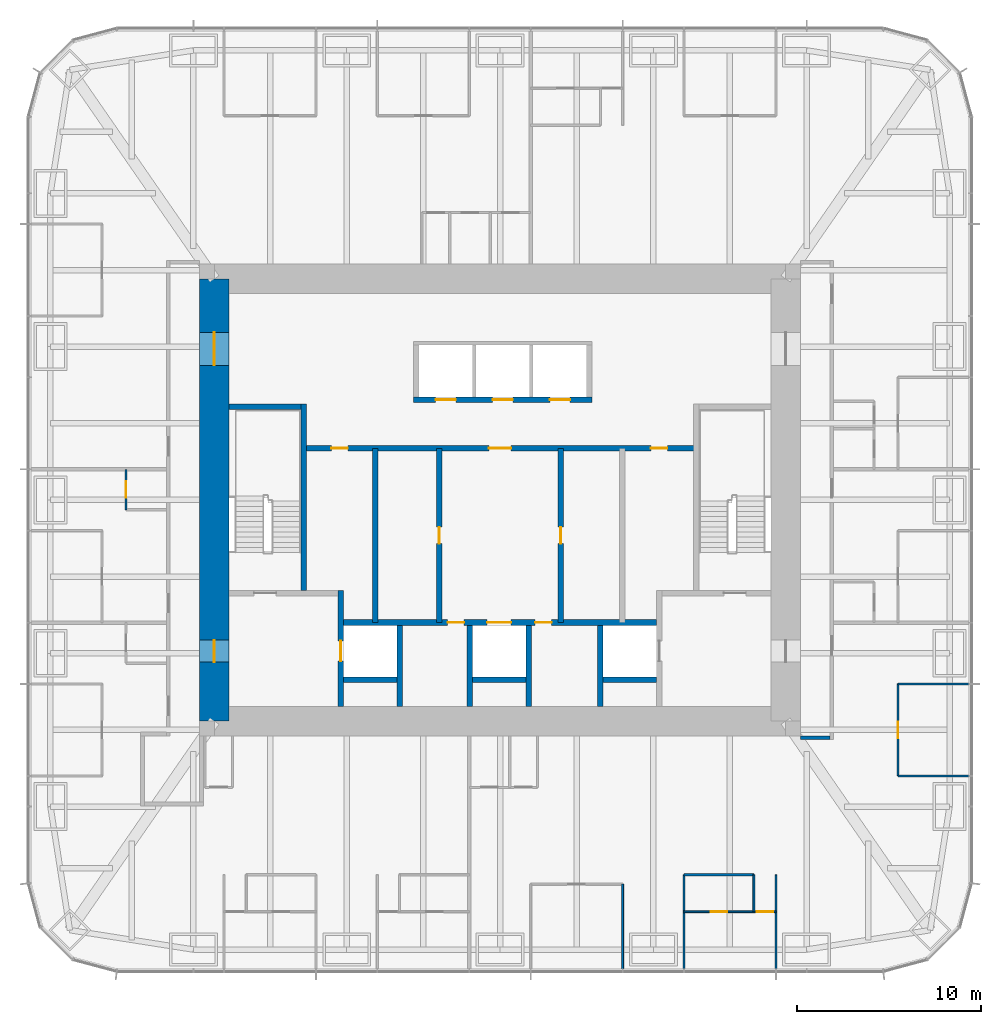
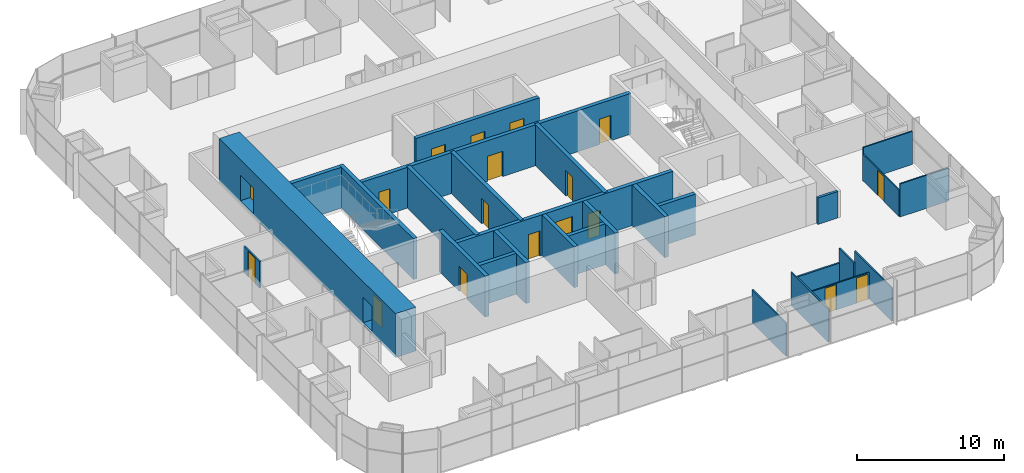
# One storey, part 10 of 13: 28 walls, 18 doors, 18 openings.
"""IFC4 building model written with IfcOpenShell, lengths in metres."""

from ifc_helpers import new_model, si_unit, direction, frame, frame_2d, origin, place, context, subcontext, project, spatial, rectangle, extrude, material, layer, layer_set, type_object, element, fill, save


model = new_model("IFC4")

# Units and contexts
model_context = context("Model", 3, precision=1e-05, world=origin(), true_north=direction((0.0, 1.0)))
body_context = subcontext(model_context, "Body", "Model", "MODEL_VIEW")
ifc_project = project(units=[si_unit("LENGTHUNIT", "METRE"), si_unit("AREAUNIT", "SQUARE_METRE"), si_unit("VOLUMEUNIT", "CUBIC_METRE"), si_unit("PLANEANGLEUNIT", "RADIAN"), si_unit("MASSUNIT", "GRAM", prefix="KILO")], contexts=[model_context])

# Site, building, storey
site_placement = place(None, origin())
site = spatial("IfcSite", under=ifc_project, at=site_placement, CompositionType="ELEMENT")
building_placement = place(site_placement, origin())
building = spatial("IfcBuilding", under=site, at=building_placement, Name="Khuree Lantern Residences", CompositionType="ELEMENT")
storey_placement = place(building_placement, frame((0.0, 0.0, 274.5)))
storey = spatial("IfcBuildingStorey", under=building, at=storey_placement, Name="L69", CompositionType="ELEMENT", Elevation=274.5)

# Wall, opening, door
ifc_material_1 = material(Name="Moisture-resistant gypsum board on steel studs", Category="steel")
ifc_layer_1 = layer(ifc_material_1, 0.125)
ifc_layer_set_1 = layer_set([ifc_layer_1], Name="BATHROOM WALL BTW125")
wall_type_1 = type_object("IfcWallType", Name="BATHROOM WALL BTW125", PredefinedType="PARTITIONING", material=ifc_layer_set_1)
wall_1_placement = place(storey_placement, frame((-20.300048828125, 1.6640625, 0.0), z_axis=(0.0, 0.0, 1.0), x_axis=(0.0, -1.0, 0.0)))
wall_1 = element("IfcWall", 1, at=wall_1_placement, inside=storey, type_object=wall_type_1, Name="L69 BATHROOM WALL 04", PredefinedType="PARTITIONING", context=body_context, shape_type="SweptSolid", body=[
    extrude(rectangle(XDim=2.199951171875, YDim=0.125, at=frame_2d((1.10009765625, 0.0))), origin(), (0.0, 0.0, 1.0), 2.199951171875),
])
opening_1_placement = place(wall_1_placement, frame((0.64990234375, 0.0, 0.0)))
opening_1 = element("IfcOpeningElement", 2, at=opening_1_placement, cuts=wall_1, Name="Opening 69-038", PredefinedType="OPENING", context=body_context, shape_type="SweptSolid", body=[
    extrude(rectangle(XDim=0.89990234375, YDim=2.10009765625, at=frame_2d((0.449951171875, 1.050048828125))), frame((0.0, 0.072509765625, 0.0), z_axis=(0.0, -1.0, 0.0), x_axis=(1.0, 0.0, 0.0)), (0.0, 0.0, 1.0), 0.14501953125),
])
ifc_material_2 = material(Name="Timber door leaf in hardwood frame", Category="wood")
door_type_1 = type_object("IfcDoorType", Name="BATHROOM DOOR 900X2100", OperationType="SINGLE_SWING_LEFT", PredefinedType="DOOR", material=ifc_material_2)
door_1_placement = place(opening_1_placement, origin())
door_1 = element("IfcDoor", 3, at=door_1_placement, inside=storey, type_object=door_type_1, Name="Bathroom door 69-038", OperationType="SINGLE_SWING_LEFT", OverallHeight=2.10009765625, OverallWidth=0.89990234375, PredefinedType="DOOR", context=body_context, shape_type="SweptSolid", body=[
    extrude(rectangle(XDim=0.89990234375, YDim=2.10009765625, at=frame_2d((0.449951171875, 1.050048828125))), frame((0.0, 0.02490234375, 0.0), z_axis=(0.0, -1.0, 0.0), x_axis=(1.0, 0.0, 0.0)), (0.0, 0.0, 1.0), 0.050048828125),
])
fill(opening_1, door_1)

# Wall
wall_2_placement = place(storey_placement, frame((9.98388671875, -20.344970703125, 0.0), z_axis=(0.0, 0.0, 1.0), x_axis=(1.0, 0.0, 0.0)))
element("IfcWall", 4, at=wall_2_placement, inside=storey, type_object=wall_type_1, Name="L69 BATHROOM WALL 06", PredefinedType="PARTITIONING", context=body_context, shape_type="SweptSolid", body=[
    extrude(rectangle(XDim=3.7919921875, YDim=0.125, at=frame_2d((1.89599609375, 0.0))), origin(), (0.0, 0.0, 1.0), 2.199951171875),
])

# Wall, opening, door
ifc_material_3 = material(Name="Dense concrete blockwork", Category="masonry")
ifc_layer_2 = layer(ifc_material_3, 0.300048828125)
ifc_layer_set_2 = layer_set([ifc_layer_2], Name="CORE PARTITION WALL CPW300 EI 120")
wall_type_2 = type_object("IfcWallType", Name="CORE PARTITION WALL CPW300 EI 120", PredefinedType="PARTITIONING", material=ifc_layer_set_2)
wall_3_placement = place(storey_placement, frame((-8.64990234375, -11.199951171875, 0.0), z_axis=(0.0, 0.0, 1.0), x_axis=(0.0, 1.0, 0.0)))
wall_3 = element("IfcWall", 5, at=wall_3_placement, inside=storey, type_object=wall_type_2, Name="L69 CORE WALL FL1W", PredefinedType="PARTITIONING", context=body_context, shape_type="SweptSolid", body=[
    extrude(rectangle(XDim=6.300048828125, YDim=0.300048828125, at=frame_2d((3.14990234375, 0.0))), origin(), (0.0, 0.0, 1.0), 3.39990234375),
])
opening_2_placement = place(wall_3_placement, frame((2.449951171875, 0.0, 0.0)))
opening_2 = element("IfcOpeningElement", 6, at=opening_2_placement, cuts=wall_3, Name="Opening 69-007", PredefinedType="OPENING", context=body_context, shape_type="SweptSolid", body=[
    extrude(rectangle(XDim=1.10009765625, YDim=2.10009765625, at=frame_2d((0.550048828125, 1.050048828125))), frame((0.0, 0.16015625, 0.0), z_axis=(0.0, -1.0, 0.0), x_axis=(1.0, 0.0, 0.0)), (0.0, 0.0, 1.0), 0.320068359375),
])
ifc_material_4 = material(Name="Stainless steel lift landing door", Category="steel")
door_type_2 = type_object("IfcDoorType", Name="LIFT LANDING DOOR 1100X2100 E 120", OperationType="DOUBLE_DOOR_SLIDING", PredefinedType="DOOR", material=ifc_material_4)
door_2_placement = place(opening_2_placement, origin())
door_2 = element("IfcDoor", 7, at=door_2_placement, inside=storey, type_object=door_type_2, Name="Landing door FL1 69-007", OperationType="DOUBLE_DOOR_SLIDING", OverallHeight=2.10009765625, OverallWidth=1.10009765625, PredefinedType="DOOR", context=body_context, shape_type="SweptSolid", body=[
    extrude(rectangle(XDim=1.10009765625, YDim=2.10009765625, at=frame_2d((0.550048828125, 1.050048828125))), frame((0.0, 0.02490234375, 0.0), z_axis=(0.0, -1.0, 0.0), x_axis=(1.0, 0.0, 0.0)), (0.0, 0.0, 1.0), 0.050048828125),
])
fill(opening_2, door_2)

# Wall, openings, doors
wall_4_placement = place(storey_placement, frame((-8.5, -6.64990234375, 0.0), z_axis=(0.0, 0.0, 1.0), x_axis=(1.0, 0.0, 0.0)))
wall_4 = element("IfcWall", 8, at=wall_4_placement, inside=storey, type_object=wall_type_2, Name="L69 CORE WALL FLROW", PredefinedType="PARTITIONING", context=body_context, shape_type="SweptSolid", body=[
    extrude(rectangle(XDim=17.0, YDim=0.300048828125, at=frame_2d((8.5, 0.0))), origin(), (0.0, 0.0, 1.0), 3.39990234375),
])
opening_3_placement = place(wall_4_placement, frame((7.800048828125, 0.0, 0.0)))
opening_3 = element("IfcOpeningElement", 9, at=opening_3_placement, cuts=wall_4, Name="Opening 69-012", PredefinedType="OPENING", context=body_context, shape_type="SweptSolid", body=[
    extrude(rectangle(XDim=1.300048828125, YDim=2.39990234375, at=frame_2d((0.64990234375, 1.199951171875))), frame((0.0, 0.16015625, 0.0), z_axis=(0.0, -1.0, 0.0), x_axis=(1.0, 0.0, 0.0)), (0.0, 0.0, 1.0), 0.320068359375),
])
opening_4_placement = place(wall_4_placement, frame((5.64990234375, 0.0, 0.0)))
opening_4 = element("IfcOpeningElement", 10, at=opening_4_placement, cuts=wall_4, Name="Opening 69-014", PredefinedType="OPENING", context=body_context, shape_type="SweptSolid", body=[
    extrude(rectangle(XDim=0.89990234375, YDim=2.10009765625, at=frame_2d((0.449951171875, 1.050048828125))), frame((0.0, 0.16015625, 0.0), z_axis=(0.0, -1.0, 0.0), x_axis=(1.0, 0.0, 0.0)), (0.0, 0.0, 1.0), 0.320068359375),
])
opening_5_placement = place(wall_4_placement, frame((10.39990234375, 0.0, 0.0)))
opening_5 = element("IfcOpeningElement", 11, at=opening_5_placement, cuts=wall_4, Name="Opening 69-015", PredefinedType="OPENING", context=body_context, shape_type="SweptSolid", body=[
    extrude(rectangle(XDim=0.89990234375, YDim=2.10009765625, at=frame_2d((0.449951171875, 1.050048828125))), frame((0.0, 0.16015625, 0.0), z_axis=(0.0, -1.0, 0.0), x_axis=(1.0, 0.0, 0.0)), (0.0, 0.0, 1.0), 0.320068359375),
])
ifc_material_5 = material(Name="Steel door leaf in steel frame", Category="steel")
door_type_3 = type_object("IfcDoorType", Name="DOOR 900X2100 EI 60", OperationType="SINGLE_SWING_LEFT", PredefinedType="DOOR", material=ifc_material_5)
door_3_placement = place(opening_4_placement, origin())
door_3 = element("IfcDoor", 12, at=door_3_placement, inside=storey, type_object=door_type_3, Name="Refuse chute room door 69-014", OperationType="SINGLE_SWING_LEFT", OverallHeight=2.10009765625, OverallWidth=0.89990234375, PredefinedType="DOOR", context=body_context, shape_type="SweptSolid", body=[
    extrude(rectangle(XDim=0.89990234375, YDim=2.10009765625, at=frame_2d((0.449951171875, 1.050048828125))), frame((0.0, 0.02490234375, 0.0), z_axis=(0.0, -1.0, 0.0), x_axis=(1.0, 0.0, 0.0)), (0.0, 0.0, 1.0), 0.050048828125),
])
fill(opening_4, door_3)
door_type_4 = type_object("IfcDoorType", Name="DOOR 900X2100 EI 60 RIGHT HAND", OperationType="SINGLE_SWING_RIGHT", PredefinedType="DOOR", material=ifc_material_5)
door_4_placement = place(opening_5_placement, origin())
door_4 = element("IfcDoor", 13, at=door_4_placement, inside=storey, type_object=door_type_4, Name="Electrical and plumbing riser door 69-015", OperationType="SINGLE_SWING_RIGHT", OverallHeight=2.10009765625, OverallWidth=0.89990234375, PredefinedType="DOOR", context=body_context, shape_type="SweptSolid", body=[
    extrude(rectangle(XDim=0.89990234375, YDim=2.10009765625, at=frame_2d((0.449951171875, 1.050048828125))), frame((0.0, 0.02490234375, 0.0), z_axis=(0.0, -1.0, 0.0), x_axis=(1.0, 0.0, 0.0)), (0.0, 0.0, 1.0), 0.050048828125),
])
fill(opening_5, door_4)
door_type_5 = type_object("IfcDoorType", Name="LIFT LANDING DOOR 1300X2400 E 60", OperationType="DOUBLE_DOOR_SLIDING", PredefinedType="DOOR", material=ifc_material_4)
door_5_placement = place(opening_3_placement, origin())
door_5 = element("IfcDoor", 14, at=door_5_placement, inside=storey, type_object=door_type_5, Name="Landing door SL1 69-012", OperationType="DOUBLE_DOOR_SLIDING", OverallHeight=2.39990234375, OverallWidth=1.300048828125, PredefinedType="DOOR", context=body_context, shape_type="SweptSolid", body=[
    extrude(rectangle(XDim=1.300048828125, YDim=2.39990234375, at=frame_2d((0.64990234375, 1.199951171875))), frame((0.0, 0.02490234375, 0.0), z_axis=(0.0, -1.0, 0.0), x_axis=(1.0, 0.0, 0.0)), (0.0, 0.0, 1.0), 0.050048828125),
])
fill(opening_3, door_5)

# Walls
for number, where, z_axis, x_axis, name in (
    (15, (-5.449951171875, -11.199951171875, 0.0), (0.0, 0.0, 1.0), (0.0, 1.0, 0.0), "L69 CORE WALL FL1E"),
    (16, (-1.64990234375, -11.199951171875, 0.0), (0.0, 0.0, 1.0), (0.0, 1.0, 0.0), "L69 CORE WALL SL1W"),
    (17, (1.550048828125, -11.199951171875, 0.0), (0.0, 0.0, 1.0), (0.0, 1.0, 0.0), "L69 CORE WALL SL1E"),
    (18, (5.449951171875, -11.199951171875, 0.0), (0.0, 0.0, 1.0), (0.0, 1.0, 0.0), "L69 CORE WALL FL2W"),
):
    element("IfcWall", number, at=place(storey_placement, frame(where, z_axis=z_axis, x_axis=x_axis)), inside=storey, type_object=wall_type_2, Name=name, PredefinedType="PARTITIONING", context=body_context, shape_type="SweptSolid", body=[
        extrude(rectangle(XDim=4.39990234375, YDim=0.300048828125, at=frame_2d((2.199951171875, 0.0))), origin(), (0.0, 0.0, 1.0), 3.39990234375),
    ])
for number, where, z_axis, x_axis, name in (
    (19, (-8.5, -9.75, 0.0), (0.0, 0.0, 1.0), (1.0, 0.0, 0.0), "L69 CORE WALL FL1S"),
    (20, (-1.5, -9.75, 0.0), (0.0, 0.0, 1.0), (1.0, 0.0, 0.0), "L69 CORE WALL SL1S"),
    (21, (5.60009765625, -9.75, 0.0), (0.0, 0.0, 1.0), (1.0, 0.0, 0.0), "L69 CORE WALL FL2S"),
):
    element("IfcWall", number, at=place(storey_placement, frame(where, z_axis=z_axis, x_axis=x_axis)), inside=storey, type_object=wall_type_2, Name=name, PredefinedType="PARTITIONING", context=body_context, shape_type="SweptSolid", body=[
        extrude(rectangle(XDim=2.89990234375, YDim=0.300048828125, at=frame_2d((1.449951171875, 0.0))), origin(), (0.0, 0.0, 1.0), 3.39990234375),
    ])

# Wall, openings, doors
wall_5_placement = place(storey_placement, frame((-4.699951171875, 5.449951171875, 0.0), z_axis=(0.0, 0.0, 1.0), x_axis=(1.0, 0.0, 0.0)))
wall_5 = element("IfcWall", 22, at=wall_5_placement, inside=storey, type_object=wall_type_2, Name="L69 CORE WALL PHS", PredefinedType="PARTITIONING", context=body_context, shape_type="SweptSolid", body=[
    extrude(rectangle(XDim=9.699951171875, YDim=0.300048828125, at=frame_2d((4.85009765625, 0.0))), origin(), (0.0, 0.0, 1.0), 3.39990234375),
])
opening_6_placement = place(wall_5_placement, frame((1.199951171875, 0.0, 0.0)))
opening_6 = element("IfcOpeningElement", 23, at=opening_6_placement, cuts=wall_5, Name="Opening 69-009", PredefinedType="OPENING", context=body_context, shape_type="SweptSolid", body=[
    extrude(rectangle(XDim=1.10009765625, YDim=2.10009765625, at=frame_2d((0.550048828125, 1.050048828125))), frame((0.0, 0.16015625, 0.0), z_axis=(0.0, -1.0, 0.0), x_axis=(1.0, 0.0, 0.0)), (0.0, 0.0, 1.0), 0.320068359375),
])
opening_7_placement = place(wall_5_placement, frame((4.300048828125, 0.0, 0.0)))
opening_7 = element("IfcOpeningElement", 24, at=opening_7_placement, cuts=wall_5, Name="Opening 69-010", PredefinedType="OPENING", context=body_context, shape_type="SweptSolid", body=[
    extrude(rectangle(XDim=1.10009765625, YDim=2.10009765625, at=frame_2d((0.550048828125, 1.050048828125))), frame((0.0, 0.16015625, 0.0), z_axis=(0.0, -1.0, 0.0), x_axis=(1.0, 0.0, 0.0)), (0.0, 0.0, 1.0), 0.320068359375),
])
opening_8_placement = place(wall_5_placement, frame((7.39990234375, 0.0, 0.0)))
opening_8 = element("IfcOpeningElement", 25, at=opening_8_placement, cuts=wall_5, Name="Opening 69-011", PredefinedType="OPENING", context=body_context, shape_type="SweptSolid", body=[
    extrude(rectangle(XDim=1.10009765625, YDim=2.10009765625, at=frame_2d((0.550048828125, 1.050048828125))), frame((0.0, 0.16015625, 0.0), z_axis=(0.0, -1.0, 0.0), x_axis=(1.0, 0.0, 0.0)), (0.0, 0.0, 1.0), 0.320068359375),
])
door_type_6 = type_object("IfcDoorType", Name="LIFT LANDING DOOR 1100X2100 E 60", OperationType="DOUBLE_DOOR_SLIDING", PredefinedType="DOOR", material=ifc_material_4)
door_6_placement = place(opening_6_placement, origin())
door_6 = element("IfcDoor", 26, at=door_6_placement, inside=storey, type_object=door_type_6, Name="Landing door PH1 69-009", OperationType="DOUBLE_DOOR_SLIDING", OverallHeight=2.10009765625, OverallWidth=1.10009765625, PredefinedType="DOOR", context=body_context, shape_type="SweptSolid", body=[
    extrude(rectangle(XDim=1.10009765625, YDim=2.10009765625, at=frame_2d((0.550048828125, 1.050048828125))), frame((0.0, 0.02490234375, 0.0), z_axis=(0.0, -1.0, 0.0), x_axis=(1.0, 0.0, 0.0)), (0.0, 0.0, 1.0), 0.050048828125),
])
fill(opening_6, door_6)
door_7_placement = place(opening_7_placement, origin())
door_7 = element("IfcDoor", 27, at=door_7_placement, inside=storey, type_object=door_type_6, Name="Landing door PH2 69-010", OperationType="DOUBLE_DOOR_SLIDING", OverallHeight=2.10009765625, OverallWidth=1.10009765625, PredefinedType="DOOR", context=body_context, shape_type="SweptSolid", body=[
    extrude(rectangle(XDim=1.10009765625, YDim=2.10009765625, at=frame_2d((0.550048828125, 1.050048828125))), frame((0.0, 0.02490234375, 0.0), z_axis=(0.0, -1.0, 0.0), x_axis=(1.0, 0.0, 0.0)), (0.0, 0.0, 1.0), 0.050048828125),
])
fill(opening_7, door_7)
door_8_placement = place(opening_8_placement, origin())
door_8 = element("IfcDoor", 28, at=door_8_placement, inside=storey, type_object=door_type_6, Name="Landing door PH3 69-011", OperationType="DOUBLE_DOOR_SLIDING", OverallHeight=2.10009765625, OverallWidth=1.10009765625, PredefinedType="DOOR", context=body_context, shape_type="SweptSolid", body=[
    extrude(rectangle(XDim=1.10009765625, YDim=2.10009765625, at=frame_2d((0.550048828125, 1.050048828125))), frame((0.0, 0.02490234375, 0.0), z_axis=(0.0, -1.0, 0.0), x_axis=(1.0, 0.0, 0.0)), (0.0, 0.0, 1.0), 0.050048828125),
])
fill(opening_8, door_8)

wall_6_placement = place(storey_placement, frame((-10.64990234375, 2.800048828125, 0.0), z_axis=(0.0, 0.0, 1.0), x_axis=(1.0, 0.0, 0.0)))
wall_6 = element("IfcWall", 29, at=wall_6_placement, inside=storey, type_object=wall_type_2, Name="L69 CORE WALL LLS", PredefinedType="PARTITIONING", context=body_context, shape_type="SweptSolid", body=[
    extrude(rectangle(XDim=21.2998046875, YDim=0.300048828125, at=frame_2d((10.64990234375, 0.0))), origin(), (0.0, 0.0, 1.0), 3.39990234375),
])
opening_9_placement = place(wall_6_placement, frame((10.050048828125, 0.0, 0.0)))
opening_9 = element("IfcOpeningElement", 30, at=opening_9_placement, cuts=wall_6, Name="Opening 69-013", PredefinedType="OPENING", context=body_context, shape_type="SweptSolid", body=[
    extrude(rectangle(XDim=1.199951171875, YDim=2.10009765625, at=frame_2d((0.60009765625, 1.050048828125))), frame((0.0, 0.16015625, 0.0), z_axis=(0.0, -1.0, 0.0), x_axis=(1.0, 0.0, 0.0)), (0.0, 0.0, 1.0), 0.320068359375),
])
opening_10_placement = place(wall_6_placement, frame((1.492919921875, 0.0, 0.0)))
opening_10 = element("IfcOpeningElement", 31, at=opening_10_placement, cuts=wall_6, Name="Opening 69-017", PredefinedType="OPENING", context=body_context, shape_type="SweptSolid", body=[
    extrude(rectangle(XDim=0.89990234375, YDim=2.10009765625, at=frame_2d((0.449951171875, 1.050048828125))), frame((0.0, 0.16015625, 0.0), z_axis=(0.0, -1.0, 0.0), x_axis=(1.0, 0.0, 0.0)), (0.0, 0.0, 1.0), 0.320068359375),
])
opening_11_placement = place(wall_6_placement, frame((18.8359375, 0.0, 0.0)))
opening_11 = element("IfcOpeningElement", 32, at=opening_11_placement, cuts=wall_6, Name="Opening 69-019", PredefinedType="OPENING", context=body_context, shape_type="SweptSolid", body=[
    extrude(rectangle(XDim=0.89990234375, YDim=2.10009765625, at=frame_2d((0.449951171875, 1.050048828125))), frame((0.0, 0.16015625, 0.0), z_axis=(0.0, -1.0, 0.0), x_axis=(1.0, 0.0, 0.0)), (0.0, 0.0, 1.0), 0.320068359375),
])
door_type_7 = type_object("IfcDoorType", Name="DOOR 1200X2100 EI 60", OperationType="SINGLE_SWING_LEFT", PredefinedType="DOOR", material=ifc_material_5)
door_9_placement = place(opening_9_placement, origin())
door_9 = element("IfcDoor", 33, at=door_9_placement, inside=storey, type_object=door_type_7, Name="Service lift lobby door 69-013", OperationType="SINGLE_SWING_LEFT", OverallHeight=2.10009765625, OverallWidth=1.199951171875, PredefinedType="DOOR", context=body_context, shape_type="SweptSolid", body=[
    extrude(rectangle(XDim=1.199951171875, YDim=2.10009765625, at=frame_2d((0.60009765625, 1.050048828125))), frame((0.0, 0.02490234375, 0.0), z_axis=(0.0, -1.0, 0.0), x_axis=(1.0, 0.0, 0.0)), (0.0, 0.0, 1.0), 0.050048828125),
])
fill(opening_9, door_9)
door_type_8 = type_object("IfcDoorType", Name="DOOR 900X2100", OperationType="SINGLE_SWING_LEFT", PredefinedType="DOOR", material=ifc_material_2)
door_10_placement = place(opening_10_placement, origin())
door_10 = element("IfcDoor", 34, at=door_10_placement, inside=storey, type_object=door_type_8, Name="Residents' store door 69-017", OperationType="SINGLE_SWING_LEFT", OverallHeight=2.10009765625, OverallWidth=0.89990234375, PredefinedType="DOOR", context=body_context, shape_type="SweptSolid", body=[
    extrude(rectangle(XDim=0.89990234375, YDim=2.10009765625, at=frame_2d((0.449951171875, 1.050048828125))), frame((0.0, 0.02490234375, 0.0), z_axis=(0.0, -1.0, 0.0), x_axis=(1.0, 0.0, 0.0)), (0.0, 0.0, 1.0), 0.050048828125),
])
fill(opening_10, door_10)
door_type_9 = type_object("IfcDoorType", Name="DOOR 900X2100 RIGHT HAND", OperationType="SINGLE_SWING_RIGHT", PredefinedType="DOOR", material=ifc_material_2)
door_11_placement = place(opening_11_placement, origin())
door_11 = element("IfcDoor", 35, at=door_11_placement, inside=storey, type_object=door_type_9, Name="Residents' store door 69-019", OperationType="SINGLE_SWING_RIGHT", OverallHeight=2.10009765625, OverallWidth=0.89990234375, PredefinedType="DOOR", context=body_context, shape_type="SweptSolid", body=[
    extrude(rectangle(XDim=0.89990234375, YDim=2.10009765625, at=frame_2d((0.449951171875, 1.050048828125))), frame((0.0, 0.02490234375, 0.0), z_axis=(0.0, -1.0, 0.0), x_axis=(1.0, 0.0, 0.0)), (0.0, 0.0, 1.0), 0.050048828125),
])
fill(opening_11, door_11)

# Wall, opening, door
wall_7_placement = place(storey_placement, frame((-3.300048828125, -6.64990234375, 0.0), z_axis=(0.0, 0.0, 1.0), x_axis=(0.0, 1.0, 0.0)))
wall_7 = element("IfcWall", 36, at=wall_7_placement, inside=storey, type_object=wall_type_2, Name="L69 CORE WALL SVW", PredefinedType="PARTITIONING", context=body_context, shape_type="SweptSolid", body=[
    extrude(rectangle(XDim=9.449951171875, YDim=0.300048828125, at=frame_2d((4.72509765625, 0.0))), origin(), (0.0, 0.0, 1.0), 3.39990234375),
])
opening_12_placement = place(wall_7_placement, frame((4.27490234375, 0.0, 0.0)))
opening_12 = element("IfcOpeningElement", 37, at=opening_12_placement, cuts=wall_7, Name="Opening 69-016", PredefinedType="OPENING", context=body_context, shape_type="SweptSolid", body=[
    extrude(rectangle(XDim=0.89990234375, YDim=2.10009765625, at=frame_2d((0.449951171875, 1.050048828125))), frame((0.0, 0.16015625, 0.0), z_axis=(0.0, -1.0, 0.0), x_axis=(1.0, 0.0, 0.0)), (0.0, 0.0, 1.0), 0.320068359375),
])
door_12_placement = place(opening_12_placement, origin())
door_12 = element("IfcDoor", 38, at=door_12_placement, inside=storey, type_object=door_type_8, Name="Residents' store door 69-016", OperationType="SINGLE_SWING_LEFT", OverallHeight=2.10009765625, OverallWidth=0.89990234375, PredefinedType="DOOR", context=body_context, shape_type="SweptSolid", body=[
    extrude(rectangle(XDim=0.89990234375, YDim=2.10009765625, at=frame_2d((0.449951171875, 1.050048828125))), frame((0.0, 0.02490234375, 0.0), z_axis=(0.0, -1.0, 0.0), x_axis=(1.0, 0.0, 0.0)), (0.0, 0.0, 1.0), 0.050048828125),
])
fill(opening_12, door_12)

wall_8_placement = place(storey_placement, frame((3.300048828125, -6.64990234375, 0.0), z_axis=(0.0, 0.0, 1.0), x_axis=(0.0, 1.0, 0.0)))
wall_8 = element("IfcWall", 39, at=wall_8_placement, inside=storey, type_object=wall_type_2, Name="L69 CORE WALL SVE", PredefinedType="PARTITIONING", context=body_context, shape_type="SweptSolid", body=[
    extrude(rectangle(XDim=9.449951171875, YDim=0.300048828125, at=frame_2d((4.72509765625, 0.0))), origin(), (0.0, 0.0, 1.0), 3.39990234375),
])
opening_13_placement = place(wall_8_placement, frame((4.27490234375, 0.0, 0.0)))
opening_13 = element("IfcOpeningElement", 40, at=opening_13_placement, cuts=wall_8, Name="Opening 69-018", PredefinedType="OPENING", context=body_context, shape_type="SweptSolid", body=[
    extrude(rectangle(XDim=0.89990234375, YDim=2.10009765625, at=frame_2d((0.449951171875, 1.050048828125))), frame((0.0, 0.16015625, 0.0), z_axis=(0.0, -1.0, 0.0), x_axis=(1.0, 0.0, 0.0)), (0.0, 0.0, 1.0), 0.320068359375),
])
door_13_placement = place(opening_13_placement, origin())
door_13 = element("IfcDoor", 41, at=door_13_placement, inside=storey, type_object=door_type_8, Name="Residents' store door 69-018", OperationType="SINGLE_SWING_LEFT", OverallHeight=2.10009765625, OverallWidth=0.89990234375, PredefinedType="DOOR", context=body_context, shape_type="SweptSolid", body=[
    extrude(rectangle(XDim=0.89990234375, YDim=2.10009765625, at=frame_2d((0.449951171875, 1.050048828125))), frame((0.0, 0.02490234375, 0.0), z_axis=(0.0, -1.0, 0.0), x_axis=(1.0, 0.0, 0.0)), (0.0, 0.0, 1.0), 0.050048828125),
])
fill(opening_13, door_13)

# Walls
wall_9_placement = place(storey_placement, frame((-6.763916015625, -6.64990234375, 0.0), z_axis=(0.0, 0.0, 1.0), x_axis=(0.0, 1.0, 0.0)))
element("IfcWall", 42, at=wall_9_placement, inside=storey, type_object=wall_type_2, Name="L69 CORE WALL WV", PredefinedType="PARTITIONING", context=body_context, shape_type="SweptSolid", body=[
    extrude(rectangle(XDim=9.449951171875, YDim=0.300048828125, at=frame_2d((4.72509765625, 0.0))), origin(), (0.0, 0.0, 1.0), 3.39990234375),
])
ifc_material_6 = material(Name="Gypsum board on steel studs", Category="steel")
ifc_layer_3 = layer(ifc_material_6, 0.199951171875)
ifc_layer_set_3 = layer_set([ifc_layer_3], Name="CORRIDOR WALL CRW200 EI 60")
wall_type_3 = type_object("IfcWallType", Name="CORRIDOR WALL CRW200 EI 60", PredefinedType="PARTITIONING", material=ifc_layer_set_3)
wall_10_placement = place(storey_placement, frame((16.300048828125, -12.89990234375, 0.0), z_axis=(0.0, 0.0, 1.0), x_axis=(1.0, 0.0, 0.0)))
element("IfcWall", 43, at=wall_10_placement, inside=storey, type_object=wall_type_3, Name="L69 EAST CORRIDOR SOUTH END WALL", PredefinedType="PARTITIONING", context=body_context, shape_type="SweptSolid", body=[
    extrude(rectangle(XDim=1.599853515625, YDim=0.199951171875, at=frame_2d((0.7998046875, 0.0))), origin(), (0.0, 0.0, 1.0), 2.199951171875),
])

# Wall, openings, doors
ifc_material_7 = material(Name="Concrete C50/60", Category="concrete")
ifc_layer_4 = layer(ifc_material_7, 1.60009765625)
ifc_layer_set_4 = layer_set([ifc_layer_4], Name="CW1600-C50 CORE WALL C50 1600")
wall_type_4 = type_object("IfcWallType", Name="CW1600-C50 CORE WALL C50 1600", PredefinedType="SHEAR", material=ifc_layer_set_4)
wall_11_placement = place(storey_placement, frame((-15.5, -12.0, -0.25), z_axis=(0.0, 0.0, 1.0), x_axis=(0.0, 1.0, 0.0)))
wall_11 = element("IfcWall", 44, at=wall_11_placement, inside=storey, type_object=wall_type_4, Name="Core wall W", PredefinedType="SHEAR", context=body_context, shape_type="SweptSolid", body=[
    extrude(rectangle(XDim=24.0, YDim=1.60009765625, at=frame_2d((12.0, 0.0))), origin(), (0.0, 0.0, 1.0), 3.64990234375),
])
opening_14_placement = place(wall_11_placement, frame((3.199951171875, 0.0, 0.25)))
opening_14 = element("IfcOpeningElement", 45, at=opening_14_placement, cuts=wall_11, Name="Opening 69-002", PredefinedType="OPENING", context=body_context, shape_type="SweptSolid", body=[
    extrude(rectangle(XDim=1.199951171875, YDim=2.10009765625, at=frame_2d((0.60009765625, 1.050048828125))), frame((0.0, 0.81005859375, 0.0), z_axis=(0.0, -1.0, 0.0), x_axis=(1.0, 0.0, 0.0)), (0.0, 0.0, 1.0), 1.6201171875),
])
opening_15_placement = place(wall_11_placement, frame((19.300048828125, 0.0, 0.25)))
opening_15 = element("IfcOpeningElement", 46, at=opening_15_placement, cuts=wall_11, Name="Opening 69-003", PredefinedType="OPENING", context=body_context, shape_type="SweptSolid", body=[
    extrude(rectangle(XDim=1.800048828125, YDim=2.10009765625, at=frame_2d((0.89990234375, 1.050048828125))), frame((0.0, 0.81005859375, 0.0), z_axis=(0.0, -1.0, 0.0), x_axis=(1.0, 0.0, 0.0)), (0.0, 0.0, 1.0), 1.6201171875),
])
door_type_10 = type_object("IfcDoorType", Name="LOBBY DOOR 1200X2100 EI 120", OperationType="SINGLE_SWING_LEFT", PredefinedType="DOOR", material=ifc_material_5)
door_14_placement = place(opening_14_placement, origin())
door_14 = element("IfcDoor", 47, at=door_14_placement, inside=storey, type_object=door_type_10, Name="Firefighting lobby door 69-002", OperationType="SINGLE_SWING_LEFT", OverallHeight=2.10009765625, OverallWidth=1.199951171875, PredefinedType="DOOR", context=body_context, shape_type="SweptSolid", body=[
    extrude(rectangle(XDim=1.199951171875, YDim=2.10009765625, at=frame_2d((0.60009765625, 1.050048828125))), frame((0.0, 0.02490234375, 0.0), z_axis=(0.0, -1.0, 0.0), x_axis=(1.0, 0.0, 0.0)), (0.0, 0.0, 1.0), 0.050048828125),
])
fill(opening_14, door_14)
door_type_11 = type_object("IfcDoorType", Name="LOBBY DOUBLE DOOR 1800X2100 EI 60", OperationType="DOUBLE_DOOR_SINGLE_SWING", PredefinedType="DOOR", material=ifc_material_5)
door_15_placement = place(opening_15_placement, origin())
door_15 = element("IfcDoor", 48, at=door_15_placement, inside=storey, type_object=door_type_11, Name="Lift lobby door 69-003", OperationType="DOUBLE_DOOR_SINGLE_SWING", OverallHeight=2.10009765625, OverallWidth=1.800048828125, PredefinedType="DOOR", context=body_context, shape_type="SweptSolid", body=[
    extrude(rectangle(XDim=1.800048828125, YDim=2.10009765625, at=frame_2d((0.89990234375, 1.050048828125))), frame((0.0, 0.02490234375, 0.0), z_axis=(0.0, -1.0, 0.0), x_axis=(1.0, 0.0, 0.0)), (0.0, 0.0, 1.0), 0.050048828125),
])
fill(opening_15, door_15)

# Walls
ifc_layer_5 = layer(ifc_material_6, 0.10009765625)
ifc_layer_set_5 = layer_set([ifc_layer_5], Name="PARTITION PT100")
wall_type_5 = type_object("IfcWallType", Name="PARTITION PT100", PredefinedType="PARTITIONING", material=ifc_layer_set_5)
wall_12_placement = place(storey_placement, frame((6.656005859375, -20.85009765625, 0.0), z_axis=(0.0, 0.0, 1.0), x_axis=(0.0, -1.0, 0.0)))
element("IfcWall", 49, at=wall_12_placement, inside=storey, type_object=wall_type_5, Name="L69 PARTITION 06", PredefinedType="PARTITIONING", context=body_context, shape_type="SweptSolid", body=[
    extrude(rectangle(XDim=4.599853515625, YDim=0.10009765625, at=frame_2d((2.2998046875, 0.0))), origin(), (0.0, 0.0, 1.0), 2.75),
])
for number, where, z_axis, x_axis, name in (
    (50, (9.98388671875, -20.344970703125, 0.0), (0.0, 0.0, 1.0), (0.0, -1.0, 0.0), "L69 PARTITION 06"),
    (51, (14.97607421875, -20.344970703125, 0.0), (0.0, 0.0, 1.0), (0.0, -1.0, 0.0), "L69 PARTITION 06"),
):
    element("IfcWall", number, at=place(storey_placement, frame(where, z_axis=z_axis, x_axis=x_axis)), inside=storey, type_object=wall_type_5, Name=name, PredefinedType="PARTITIONING", context=body_context, shape_type="SweptSolid", body=[
        extrude(rectangle(XDim=5.10498046875, YDim=0.10009765625, at=frame_2d((2.552490234375, 0.0))), origin(), (0.0, 0.0, 1.0), 2.75),
    ])
for number, where, z_axis, x_axis, name in (
    (52, (21.60009765625, -14.97607421875, 0.0), (0.0, 0.0, 1.0), (1.0, 0.0, 0.0), "L69 PARTITION 06"),
    (53, (21.60009765625, -9.98388671875, 0.0), (0.0, 0.0, 1.0), (1.0, 0.0, 0.0), "L69 PARTITION 06"),
):
    element("IfcWall", number, at=place(storey_placement, frame(where, z_axis=z_axis, x_axis=x_axis)), inside=storey, type_object=wall_type_5, Name=name, PredefinedType="PARTITIONING", context=body_context, shape_type="SweptSolid", body=[
        extrude(rectangle(XDim=3.849853515625, YDim=0.10009765625, at=frame_2d((1.9248046875, 0.0))), origin(), (0.0, 0.0, 1.0), 2.75),
    ])

# Wall, openings, doors
wall_13_placement = place(storey_placement, frame((9.98388671875, -22.344970703125, 0.0), z_axis=(0.0, 0.0, 1.0), x_axis=(1.0, 0.0, 0.0)))
wall_13 = element("IfcWall", 54, at=wall_13_placement, inside=storey, type_object=wall_type_5, Name="L69 PARTITION 06", PredefinedType="PARTITIONING", context=body_context, shape_type="SweptSolid", body=[
    extrude(rectangle(XDim=4.9921875, YDim=0.10009765625, at=frame_2d((2.49609375, 0.0))), origin(), (0.0, 0.0, 1.0), 2.199951171875),
])
opening_16_placement = place(wall_13_placement, frame((3.94189453125, 0.0, 0.0)))
opening_16 = element("IfcOpeningElement", 55, at=opening_16_placement, cuts=wall_13, Name="Opening 69-049", PredefinedType="OPENING", context=body_context, shape_type="SweptSolid", body=[
    extrude(rectangle(XDim=0.89990234375, YDim=2.10009765625, at=frame_2d((0.449951171875, 1.050048828125))), frame((0.0, 0.06005859375, 0.0), z_axis=(0.0, -1.0, 0.0), x_axis=(1.0, 0.0, 0.0)), (0.0, 0.0, 1.0), 0.1201171875),
])
opening_17_placement = place(wall_13_placement, frame((1.446044921875, 0.0, 0.0)))
opening_17 = element("IfcOpeningElement", 56, at=opening_17_placement, cuts=wall_13, Name="Opening 69-050", PredefinedType="OPENING", context=body_context, shape_type="SweptSolid", body=[
    extrude(rectangle(XDim=0.89990234375, YDim=2.10009765625, at=frame_2d((0.449951171875, 1.050048828125))), frame((0.0, 0.06005859375, 0.0), z_axis=(0.0, -1.0, 0.0), x_axis=(1.0, 0.0, 0.0)), (0.0, 0.0, 1.0), 0.1201171875),
])
door_16_placement = place(opening_17_placement, origin())
door_16 = element("IfcDoor", 57, at=door_16_placement, inside=storey, type_object=door_type_1, Name="Bathroom door 69-050", OperationType="SINGLE_SWING_LEFT", OverallHeight=2.10009765625, OverallWidth=0.89990234375, PredefinedType="DOOR", context=body_context, shape_type="SweptSolid", body=[
    extrude(rectangle(XDim=0.89990234375, YDim=2.10009765625, at=frame_2d((0.449951171875, 1.050048828125))), frame((0.0, 0.02490234375, 0.0), z_axis=(0.0, -1.0, 0.0), x_axis=(1.0, 0.0, 0.0)), (0.0, 0.0, 1.0), 0.050048828125),
])
fill(opening_17, door_16)
door_type_12 = type_object("IfcDoorType", Name="BEDROOM DOOR 900X2100", OperationType="SINGLE_SWING_LEFT", PredefinedType="DOOR", material=ifc_material_2)
door_17_placement = place(opening_16_placement, origin())
door_17 = element("IfcDoor", 58, at=door_17_placement, inside=storey, type_object=door_type_12, Name="Bedroom door 69-049", OperationType="SINGLE_SWING_LEFT", OverallHeight=2.10009765625, OverallWidth=0.89990234375, PredefinedType="DOOR", context=body_context, shape_type="SweptSolid", body=[
    extrude(rectangle(XDim=0.89990234375, YDim=2.10009765625, at=frame_2d((0.449951171875, 1.050048828125))), frame((0.0, 0.02490234375, 0.0), z_axis=(0.0, -1.0, 0.0), x_axis=(1.0, 0.0, 0.0)), (0.0, 0.0, 1.0), 0.050048828125),
])
fill(opening_16, door_17)

# Wall
wall_14_placement = place(storey_placement, frame((13.77587890625, -20.344970703125, 0.0), z_axis=(0.0, 0.0, 1.0), x_axis=(0.0, -1.0, 0.0)))
element("IfcWall", 59, at=wall_14_placement, inside=storey, type_object=wall_type_5, Name="L69 PARTITION 06", PredefinedType="PARTITIONING", context=body_context, shape_type="SweptSolid", body=[
    extrude(rectangle(XDim=2.0, YDim=0.10009765625, at=frame_2d((1.0, 0.0))), origin(), (0.0, 0.0, 1.0), 3.39990234375),
])

# Wall, opening, door
wall_15_placement = place(storey_placement, frame((21.60009765625, -14.97607421875, 0.0), z_axis=(0.0, 0.0, 1.0), x_axis=(0.0, 1.0, 0.0)))
wall_15 = element("IfcWall", 60, at=wall_15_placement, inside=storey, type_object=wall_type_5, Name="L69 PARTITION 06", PredefinedType="PARTITIONING", context=body_context, shape_type="SweptSolid", body=[
    extrude(rectangle(XDim=4.9921875, YDim=0.10009765625, at=frame_2d((2.49609375, 0.0))), origin(), (0.0, 0.0, 1.0), 2.199951171875),
])
opening_18_placement = place(wall_15_placement, frame((2.0458984375, 0.0, 0.0)))
opening_18 = element("IfcOpeningElement", 61, at=opening_18_placement, cuts=wall_15, Name="Opening 69-051", PredefinedType="OPENING", context=body_context, shape_type="SweptSolid", body=[
    extrude(rectangle(XDim=0.89990234375, YDim=2.10009765625, at=frame_2d((0.449951171875, 1.050048828125))), frame((0.0, 0.06005859375, 0.0), z_axis=(0.0, -1.0, 0.0), x_axis=(1.0, 0.0, 0.0)), (0.0, 0.0, 1.0), 0.1201171875),
])
door_18_placement = place(opening_18_placement, origin())
door_18 = element("IfcDoor", 62, at=door_18_placement, inside=storey, type_object=door_type_12, Name="Bedroom door 69-051", OperationType="SINGLE_SWING_LEFT", OverallHeight=2.10009765625, OverallWidth=0.89990234375, PredefinedType="DOOR", context=body_context, shape_type="SweptSolid", body=[
    extrude(rectangle(XDim=0.89990234375, YDim=2.10009765625, at=frame_2d((0.449951171875, 1.050048828125))), frame((0.0, 0.02490234375, 0.0), z_axis=(0.0, -1.0, 0.0), x_axis=(1.0, 0.0, 0.0)), (0.0, 0.0, 1.0), 0.050048828125),
])
fill(opening_18, door_18)

# Walls
ifc_layer_6 = layer(ifc_material_7, 0.300048828125)
ifc_layer_set_6 = layer_set([ifc_layer_6], Name="STAIR WALL SRW300 C50/60 REI 240")
wall_type_6 = type_object("IfcWallType", Name="STAIR WALL SRW300 C50/60 REI 240", PredefinedType="SOLIDWALL", material=ifc_layer_set_6)
wall_16_placement = place(storey_placement, frame((-10.64990234375, -4.89990234375, 0.0), z_axis=(0.0, 0.0, 1.0), x_axis=(0.0, 1.0, 0.0)))
element("IfcWall", 63, at=wall_16_placement, inside=storey, type_object=wall_type_6, Name="L69 STAIR WALL ST1E", PredefinedType="SOLIDWALL", context=body_context, shape_type="SweptSolid", body=[
    extrude(rectangle(XDim=10.099853515625, YDim=0.300048828125, at=frame_2d((5.0498046875, 0.0))), origin(), (0.0, 0.0, 1.0), 3.39990234375),
])
wall_17_placement = place(storey_placement, frame((-14.699951171875, 5.050048828125, 0.0), z_axis=(0.0, 0.0, 1.0), x_axis=(1.0, 0.0, 0.0)))
element("IfcWall", 64, at=wall_17_placement, inside=storey, type_object=wall_type_6, Name="L69 STAIR WALL ST1N", PredefinedType="SOLIDWALL", context=body_context, shape_type="SweptSolid", body=[
    extrude(rectangle(XDim=3.89990234375, YDim=0.300048828125, at=frame_2d((1.949951171875, 0.0))), origin(), (0.0, 0.0, 1.0), 3.39990234375),
])

save(model, "model.ifc")
